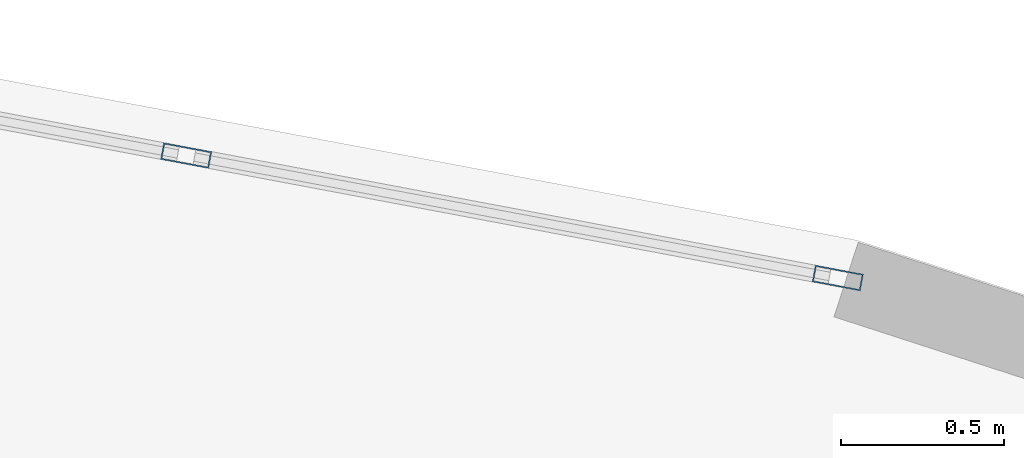
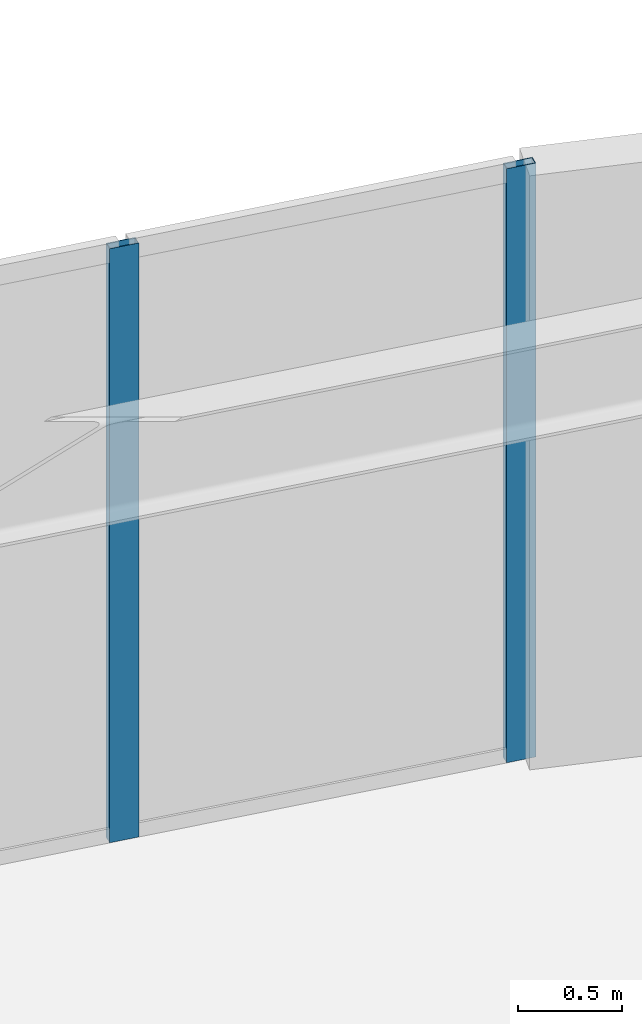
# One storey, part 6 of 21: 2 members, 1 element without a shape of its own.
"""IFC4 building model written with IfcOpenShell, lengths in metres."""

from ifc_helpers import new_model, si_unit, direction, frame, origin, origin_2d, place, context, subcontext, project, spatial, hollow_rectangle, extrude, source, transform, mapped, material, layer, layer_set, material_profile, profile_set, type_object, element, aggregate, save


model = new_model("IFC4")

# Units and contexts
model_context = context("Model", 3, precision=1e-05, world=origin(), true_north=direction((0.0, 1.0)))
body_context = subcontext(model_context, "Body", "Model", "MODEL_VIEW")
ifc_project = project(units=[si_unit("LENGTHUNIT", "METRE"), si_unit("AREAUNIT", "SQUARE_METRE"), si_unit("VOLUMEUNIT", "CUBIC_METRE"), si_unit("PLANEANGLEUNIT", "RADIAN"), si_unit("MASSUNIT", "GRAM", prefix="KILO")], contexts=[model_context])

# Site, building, storey
site_placement = place(None, origin())
site = spatial("IfcSite", under=ifc_project, at=site_placement, CompositionType="ELEMENT")
building_placement = place(site_placement, origin())
building = spatial("IfcBuilding", under=site, at=building_placement, Name="Linh Dai School and Residence Tower", CompositionType="ELEMENT")
storey_placement = place(building_placement, frame((0.0, 0.0, 171.14990234375)))
storey = spatial("IfcBuildingStorey", under=building, at=storey_placement, Name="L41", CompositionType="ELEMENT", Elevation=171.14990234375)

# Curtain wall, members
ifc_material_1 = material(Name="Aluminium Anodised Curtain Wall", Category="aluminium")
ifc_layer = layer(ifc_material_1, 0.14990234375)
ifc_layer_set = layer_set([ifc_layer], Name="Aluminium Anodised Curtain Wall")
curtain_wall_type = type_object("IfcCurtainWallType", Name="CW-SYS-4", PredefinedType="USERDEFINED", material=ifc_layer_set)
curtain_wall_placement = place(storey_placement, origin())
curtain_wall = element("IfcCurtainWall", 1, at=curtain_wall_placement, inside=storey, type_object=curtain_wall_type, Name="L41 CW4 Curtain Wall 09", ObjectType="RIBBON CURTAIN WALL", PredefinedType="USERDEFINED")
ifc_material_2 = material(Name="Aluminium Alloy 6063-T6", Category="aluminium")
ifc_material_profile = material_profile(ifc_material_2, hollow_rectangle(XDim=0.052001953125, YDim=0.14990234375, WallThickness=0.00390625, at=origin_2d()), Name="RHS 150x52x4")
ifc_profile_set = profile_set([ifc_material_profile], Name="Aluminium Alloy 6063-T6")
member_type = type_object("IfcMemberType", Name="CW-SYS-4-MUL", PredefinedType="MULLION", material=ifc_profile_set)
shared_shape = source(origin(), body_context, "Body", "SweptSolid", [
    extrude(hollow_rectangle(XDim=0.052001953125, YDim=0.14990234375, WallThickness=0.00390625, at=origin_2d()), origin(), (0.0, 0.0, 1.0), 3.5),
])
member_1_placement = place(storey_placement, frame((42.16748046875, 47.0693359375, 0.0), z_axis=(0.0, 0.0, 1.0), x_axis=(0.184762540184, 0.982783192645, 0.0)))
member_1 = element("IfcMember", 2, at=member_1_placement, type_object=member_type, Name="CW4 mullion 2", PredefinedType="MULLION", context=body_context, shape_type="MappedRepresentation", body=[
    mapped(shared_shape, transform((0.0, 0.0, 0.0), x_axis=(1.0, 0.0, 0.0), y_axis=(0.0, 1.0, 0.0), z_axis=(0.0, 0.0, 1.0), scale=1.0)),
])
member_2_placement = place(storey_placement, frame((44.16357421875, 46.694091796875, 0.0), z_axis=(0.0, 0.0, 1.0), x_axis=(0.184762540184, 0.982783192645, 0.0)))
member_2 = element("IfcMember", 3, at=member_2_placement, type_object=member_type, Name="CW4 mullion 3", PredefinedType="MULLION", context=body_context, shape_type="MappedRepresentation", body=[
    mapped(shared_shape, transform((0.0, 0.0, 0.0), x_axis=(1.0, 0.0, 0.0), y_axis=(0.0, 1.0, 0.0), z_axis=(0.0, 0.0, 1.0), scale=1.0)),
])
aggregate(curtain_wall, [member_1, member_2])

save(model, "model.ifc")
